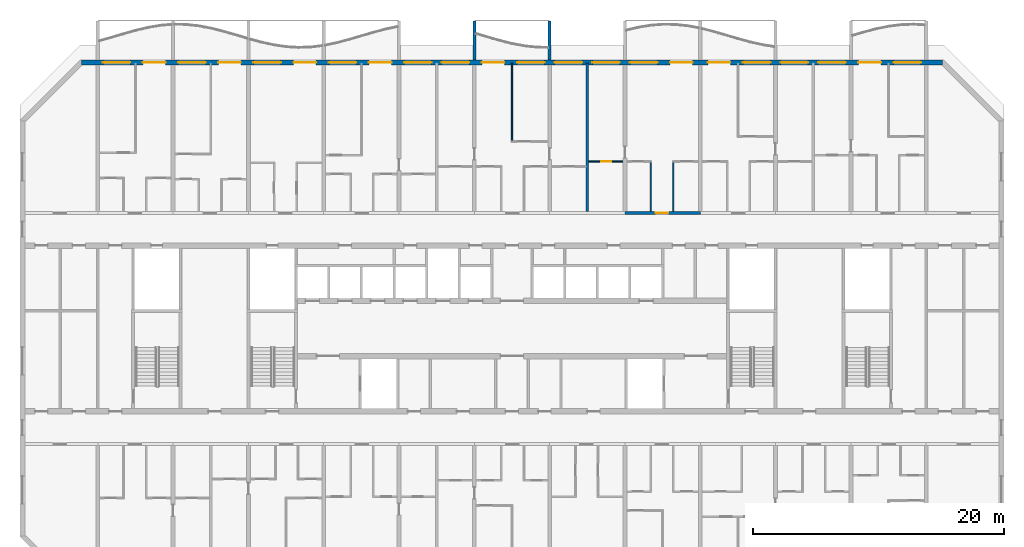
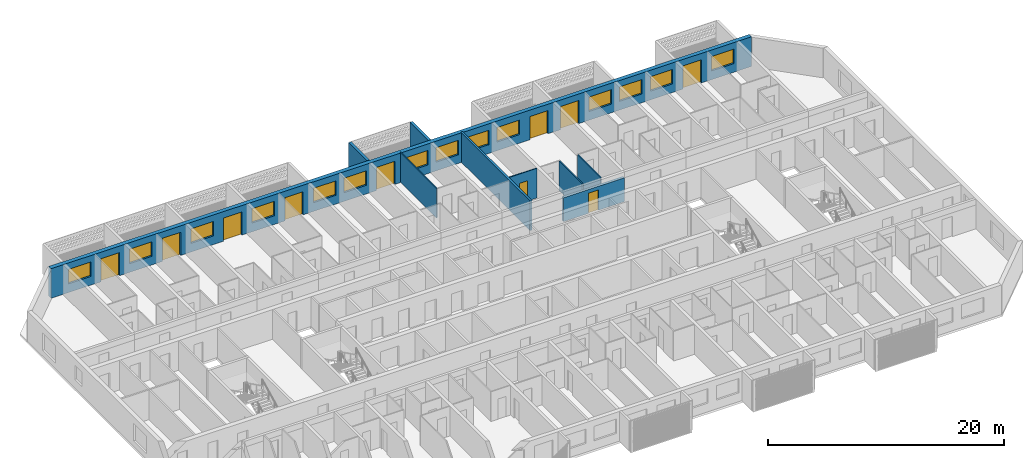
# One storey, part 10 of 32: 14 windows, 10 doors, 9 walls, 24 openings.
"""IFC4 building model written with IfcOpenShell, lengths in metres."""

from ifc_helpers import new_model, si_unit, direction, frame, frame_2d, origin, place, context, subcontext, project, spatial, polyline, rectangle, outline, extrude, source, transform, mapped, material, layer, layer_set, type_object, element, fill, save


model = new_model("IFC4")

# Units and contexts
model_context = context("Model", 3, precision=1e-05, world=origin(), true_north=direction((0.0, 1.0)))
body_context = subcontext(model_context, "Body", "Model", "MODEL_VIEW")
ifc_project = project(units=[si_unit("LENGTHUNIT", "METRE"), si_unit("AREAUNIT", "SQUARE_METRE"), si_unit("VOLUMEUNIT", "CUBIC_METRE"), si_unit("PLANEANGLEUNIT", "RADIAN"), si_unit("MASSUNIT", "GRAM", prefix="KILO")], contexts=[model_context])

# Site, building, storey
site_placement = place(None, origin())
site = spatial("IfcSite", under=ifc_project, at=site_placement, CompositionType="ELEMENT")
building_placement = place(site_placement, origin())
building = spatial("IfcBuilding", under=site, at=building_placement, Name="Poui Terraces", CompositionType="ELEMENT")
storey_placement = place(building_placement, frame((0.0, 0.0, 122.39990234375)))
storey = spatial("IfcBuildingStorey", under=building, at=storey_placement, Name="L33", CompositionType="ELEMENT", Elevation=122.39990234375)

# Wall, opening, door
ifc_material_1 = material(Name="Concrete 65 MPa", Category="concrete")
ifc_layer_1 = layer(ifc_material_1, 0.25)
ifc_layer_set_1 = layer_set([ifc_layer_1], Name="Concrete 65 MPa")
wall_type_1 = type_object("IfcWallType", Name="CORRIDOR WALL 250 65MPa", PredefinedType="SHEAR", material=ifc_layer_set_1)
wall_1_placement = place(storey_placement, frame((60.0, 30.39990234375, 0.0), z_axis=(0.0, 0.0, 1.0), x_axis=(1.0, 0.0, 0.0)))
wall_1 = element("IfcWall", 1, at=wall_1_placement, inside=storey, type_object=wall_type_1, Name="CORRIDOR WALL LINE E BAY 9", PredefinedType="SHEAR", context=body_context, shape_type="SweptSolid", body=[
    extrude(rectangle(XDim=6.0, YDim=0.25, at=frame_2d((3.0, 0.0))), origin(), (0.0, 0.0, 1.0), 2.47021484375),
])
opening_1_placement = place(wall_1_placement, frame((2.449951171875, 0.0, 0.0)))
opening_1 = element("IfcOpeningElement", 2, at=opening_1_placement, cuts=wall_1, Name="Opening FD30S", PredefinedType="OPENING", context=body_context, shape_type="SweptSolid", body=[
    extrude(rectangle(XDim=1.0, YDim=2.10009765625, at=frame_2d((0.5, 1.050048828125))), frame((0.0, 0.135009765625, 0.0), z_axis=(0.0, -1.0, 0.0), x_axis=(1.0, 0.0, 0.0)), (0.0, 0.0, 1.0), 0.27001953125),
])
ifc_material_2 = material(Name="Steel fire door", Category="steel")
door_type_1 = type_object("IfcDoorType", Name="FLAT ENTRANCE DOOR 1000 X 2100", OperationType="NOTDEFINED", PredefinedType="DOOR", material=ifc_material_2)
door_1_placement = place(opening_1_placement, origin())
door_1 = element("IfcDoor", 3, at=door_1_placement, inside=storey, type_object=door_type_1, Name="FLAT ENTRANCE DOOR 063", OperationType="SINGLE_SWING_LEFT", OverallHeight=2.10009765625, OverallWidth=1.0, PredefinedType="DOOR", context=body_context, shape_type="SweptSolid", body=[
    extrude(rectangle(XDim=1.0, YDim=2.10009765625, at=frame_2d((0.5, 1.050048828125))), frame((0.0, 0.02490234375, 0.0), z_axis=(0.0, -1.0, 0.0), x_axis=(1.0, 0.0, 0.0)), (0.0, 0.0, 1.0), 0.050048828125),
])
fill(opening_1, door_1)

# Wall, openings, doors, windows
ifc_material_3 = material(Name="Precast concrete 40 MPa", Category="concrete")
ifc_layer_2 = layer(ifc_material_3, 0.39990234375)
ifc_layer_set_2 = layer_set([ifc_layer_2], Name="Precast concrete 40 MPa")
wall_type_2 = type_object("IfcWallType", Name="EXTERNAL WALL 400", PredefinedType="STANDARD", material=ifc_layer_set_2)
wall_2_placement = place(storey_placement, frame((85.317138671875, 42.39990234375, 0.0), z_axis=(0.0, 0.0, 1.0), x_axis=(-1.0, 0.0, 0.0)))
wall_2 = element("IfcWall", 4, at=wall_2_placement, inside=storey, type_object=wall_type_2, Name="EXTERNAL WALL N", PredefinedType="STANDARD", context=body_context, shape_type="SweptSolid", body=[
    extrude(rectangle(XDim=68.63427734375, YDim=0.39990234375, at=frame_2d((34.317138671875, 0.0))), origin(), (0.0, 0.0, 1.0), 3.070068359375),
])
opening_2_placement = place(wall_2_placement, frame((64.71728515625, 0.0, 0.89990234375)))
opening_2 = element("IfcOpeningElement", 5, at=opening_2_placement, cuts=wall_2, Name="Opening W1", PredefinedType="OPENING", context=body_context, shape_type="SweptSolid", body=[
    extrude(rectangle(XDim=2.199951171875, YDim=1.5, at=frame_2d((1.10009765625, 0.75))), frame((0.0, 0.2099609375, 0.0), z_axis=(0.0, -1.0, 0.0), x_axis=(1.0, 0.0, 0.0)), (0.0, 0.0, 1.0), 0.419921875),
])
opening_3_placement = place(wall_2_placement, frame((61.917236328125, 0.0, 0.0)))
opening_3 = element("IfcOpeningElement", 6, at=opening_3_placement, cuts=wall_2, Name="Opening BD1", PredefinedType="OPENING", context=body_context, shape_type="SweptSolid", body=[
    extrude(rectangle(XDim=1.800048828125, YDim=2.39990234375, at=frame_2d((0.89990234375, 1.199951171875))), frame((0.0, 0.2099609375, 0.0), z_axis=(0.0, -1.0, 0.0), x_axis=(1.0, 0.0, 0.0)), (0.0, 0.0, 1.0), 0.419921875),
])
opening_4_placement = place(wall_2_placement, frame((58.71728515625, 0.0, 0.89990234375)))
opening_4 = element("IfcOpeningElement", 7, at=opening_4_placement, cuts=wall_2, Name="Opening W1", PredefinedType="OPENING", context=body_context, shape_type="SweptSolid", body=[
    extrude(rectangle(XDim=2.199951171875, YDim=1.5, at=frame_2d((1.10009765625, 0.75))), frame((0.0, 0.2099609375, 0.0), z_axis=(0.0, -1.0, 0.0), x_axis=(1.0, 0.0, 0.0)), (0.0, 0.0, 1.0), 0.419921875),
])
opening_5_placement = place(wall_2_placement, frame((55.917236328125, 0.0, 0.0)))
opening_5 = element("IfcOpeningElement", 8, at=opening_5_placement, cuts=wall_2, Name="Opening BD1", PredefinedType="OPENING", context=body_context, shape_type="SweptSolid", body=[
    extrude(rectangle(XDim=1.800048828125, YDim=2.39990234375, at=frame_2d((0.89990234375, 1.199951171875))), frame((0.0, 0.2099609375, 0.0), z_axis=(0.0, -1.0, 0.0), x_axis=(1.0, 0.0, 0.0)), (0.0, 0.0, 1.0), 0.419921875),
])
opening_6_placement = place(wall_2_placement, frame((52.71728515625, 0.0, 0.89990234375)))
opening_6 = element("IfcOpeningElement", 9, at=opening_6_placement, cuts=wall_2, Name="Opening W1", PredefinedType="OPENING", context=body_context, shape_type="SweptSolid", body=[
    extrude(rectangle(XDim=2.199951171875, YDim=1.5, at=frame_2d((1.10009765625, 0.75))), frame((0.0, 0.2099609375, 0.0), z_axis=(0.0, -1.0, 0.0), x_axis=(1.0, 0.0, 0.0)), (0.0, 0.0, 1.0), 0.419921875),
])
opening_7_placement = place(wall_2_placement, frame((49.917236328125, 0.0, 0.0)))
opening_7 = element("IfcOpeningElement", 10, at=opening_7_placement, cuts=wall_2, Name="Opening BD1", PredefinedType="OPENING", context=body_context, shape_type="SweptSolid", body=[
    extrude(rectangle(XDim=1.800048828125, YDim=2.39990234375, at=frame_2d((0.89990234375, 1.199951171875))), frame((0.0, 0.2099609375, 0.0), z_axis=(0.0, -1.0, 0.0), x_axis=(1.0, 0.0, 0.0)), (0.0, 0.0, 1.0), 0.419921875),
])
opening_8_placement = place(wall_2_placement, frame((46.71728515625, 0.0, 0.89990234375)))
opening_8 = element("IfcOpeningElement", 11, at=opening_8_placement, cuts=wall_2, Name="Opening W1", PredefinedType="OPENING", context=body_context, shape_type="SweptSolid", body=[
    extrude(rectangle(XDim=2.199951171875, YDim=1.5, at=frame_2d((1.10009765625, 0.75))), frame((0.0, 0.2099609375, 0.0), z_axis=(0.0, -1.0, 0.0), x_axis=(1.0, 0.0, 0.0)), (0.0, 0.0, 1.0), 0.419921875),
])
opening_9_placement = place(wall_2_placement, frame((43.917236328125, 0.0, 0.0)))
opening_9 = element("IfcOpeningElement", 12, at=opening_9_placement, cuts=wall_2, Name="Opening BD1", PredefinedType="OPENING", context=body_context, shape_type="SweptSolid", body=[
    extrude(rectangle(XDim=1.800048828125, YDim=2.39990234375, at=frame_2d((0.89990234375, 1.199951171875))), frame((0.0, 0.2099609375, 0.0), z_axis=(0.0, -1.0, 0.0), x_axis=(1.0, 0.0, 0.0)), (0.0, 0.0, 1.0), 0.419921875),
])
opening_10_placement = place(wall_2_placement, frame((40.71728515625, 0.0, 0.89990234375)))
opening_10 = element("IfcOpeningElement", 13, at=opening_10_placement, cuts=wall_2, Name="Opening W1", PredefinedType="OPENING", context=body_context, shape_type="SweptSolid", body=[
    extrude(rectangle(XDim=2.199951171875, YDim=1.5, at=frame_2d((1.10009765625, 0.75))), frame((0.0, 0.2099609375, 0.0), z_axis=(0.0, -1.0, 0.0), x_axis=(1.0, 0.0, 0.0)), (0.0, 0.0, 1.0), 0.419921875),
])
opening_11_placement = place(wall_2_placement, frame((37.71728515625, 0.0, 0.89990234375)))
opening_11 = element("IfcOpeningElement", 14, at=opening_11_placement, cuts=wall_2, Name="Opening W1", PredefinedType="OPENING", context=body_context, shape_type="SweptSolid", body=[
    extrude(rectangle(XDim=2.199951171875, YDim=1.5, at=frame_2d((1.10009765625, 0.75))), frame((0.0, 0.2099609375, 0.0), z_axis=(0.0, -1.0, 0.0), x_axis=(1.0, 0.0, 0.0)), (0.0, 0.0, 1.0), 0.419921875),
])
opening_12_placement = place(wall_2_placement, frame((34.917236328125, 0.0, 0.0)))
opening_12 = element("IfcOpeningElement", 15, at=opening_12_placement, cuts=wall_2, Name="Opening BD1", PredefinedType="OPENING", context=body_context, shape_type="SweptSolid", body=[
    extrude(rectangle(XDim=1.800048828125, YDim=2.39990234375, at=frame_2d((0.89990234375, 1.199951171875))), frame((0.0, 0.2099609375, 0.0), z_axis=(0.0, -1.0, 0.0), x_axis=(1.0, 0.0, 0.0)), (0.0, 0.0, 1.0), 0.419921875),
])
opening_13_placement = place(wall_2_placement, frame((31.71728515625, 0.0, 0.89990234375)))
opening_13 = element("IfcOpeningElement", 16, at=opening_13_placement, cuts=wall_2, Name="Opening W1", PredefinedType="OPENING", context=body_context, shape_type="SweptSolid", body=[
    extrude(rectangle(XDim=2.199951171875, YDim=1.5, at=frame_2d((1.10009765625, 0.75))), frame((0.0, 0.2099609375, 0.0), z_axis=(0.0, -1.0, 0.0), x_axis=(1.0, 0.0, 0.0)), (0.0, 0.0, 1.0), 0.419921875),
])
opening_14_placement = place(wall_2_placement, frame((28.71728515625, 0.0, 0.89990234375)))
opening_14 = element("IfcOpeningElement", 17, at=opening_14_placement, cuts=wall_2, Name="Opening W1", PredefinedType="OPENING", context=body_context, shape_type="SweptSolid", body=[
    extrude(rectangle(XDim=2.199951171875, YDim=1.5, at=frame_2d((1.10009765625, 0.75))), frame((0.0, 0.2099609375, 0.0), z_axis=(0.0, -1.0, 0.0), x_axis=(1.0, 0.0, 0.0)), (0.0, 0.0, 1.0), 0.419921875),
])
opening_15_placement = place(wall_2_placement, frame((25.71728515625, 0.0, 0.89990234375)))
opening_15 = element("IfcOpeningElement", 18, at=opening_15_placement, cuts=wall_2, Name="Opening W1", PredefinedType="OPENING", context=body_context, shape_type="SweptSolid", body=[
    extrude(rectangle(XDim=2.199951171875, YDim=1.5, at=frame_2d((1.10009765625, 0.75))), frame((0.0, 0.2099609375, 0.0), z_axis=(0.0, -1.0, 0.0), x_axis=(1.0, 0.0, 0.0)), (0.0, 0.0, 1.0), 0.419921875),
])
opening_16_placement = place(wall_2_placement, frame((22.71728515625, 0.0, 0.89990234375)))
opening_16 = element("IfcOpeningElement", 19, at=opening_16_placement, cuts=wall_2, Name="Opening W1", PredefinedType="OPENING", context=body_context, shape_type="SweptSolid", body=[
    extrude(rectangle(XDim=2.199951171875, YDim=1.5, at=frame_2d((1.10009765625, 0.75))), frame((0.0, 0.2099609375, 0.0), z_axis=(0.0, -1.0, 0.0), x_axis=(1.0, 0.0, 0.0)), (0.0, 0.0, 1.0), 0.419921875),
])
opening_17_placement = place(wall_2_placement, frame((19.917236328125, 0.0, 0.0)))
opening_17 = element("IfcOpeningElement", 20, at=opening_17_placement, cuts=wall_2, Name="Opening BD1", PredefinedType="OPENING", context=body_context, shape_type="SweptSolid", body=[
    extrude(rectangle(XDim=1.800048828125, YDim=2.39990234375, at=frame_2d((0.89990234375, 1.199951171875))), frame((0.0, 0.2099609375, 0.0), z_axis=(0.0, -1.0, 0.0), x_axis=(1.0, 0.0, 0.0)), (0.0, 0.0, 1.0), 0.419921875),
])
opening_18_placement = place(wall_2_placement, frame((16.917236328125, 0.0, 0.0)))
opening_18 = element("IfcOpeningElement", 21, at=opening_18_placement, cuts=wall_2, Name="Opening BD1", PredefinedType="OPENING", context=body_context, shape_type="SweptSolid", body=[
    extrude(rectangle(XDim=1.800048828125, YDim=2.39990234375, at=frame_2d((0.89990234375, 1.199951171875))), frame((0.0, 0.2099609375, 0.0), z_axis=(0.0, -1.0, 0.0), x_axis=(1.0, 0.0, 0.0)), (0.0, 0.0, 1.0), 0.419921875),
])
opening_19_placement = place(wall_2_placement, frame((13.71728515625, 0.0, 0.89990234375)))
opening_19 = element("IfcOpeningElement", 22, at=opening_19_placement, cuts=wall_2, Name="Opening W1", PredefinedType="OPENING", context=body_context, shape_type="SweptSolid", body=[
    extrude(rectangle(XDim=2.199951171875, YDim=1.5, at=frame_2d((1.10009765625, 0.75))), frame((0.0, 0.2099609375, 0.0), z_axis=(0.0, -1.0, 0.0), x_axis=(1.0, 0.0, 0.0)), (0.0, 0.0, 1.0), 0.419921875),
])
opening_20_placement = place(wall_2_placement, frame((10.71728515625, 0.0, 0.89990234375)))
opening_20 = element("IfcOpeningElement", 23, at=opening_20_placement, cuts=wall_2, Name="Opening W1", PredefinedType="OPENING", context=body_context, shape_type="SweptSolid", body=[
    extrude(rectangle(XDim=2.199951171875, YDim=1.5, at=frame_2d((1.10009765625, 0.75))), frame((0.0, 0.2099609375, 0.0), z_axis=(0.0, -1.0, 0.0), x_axis=(1.0, 0.0, 0.0)), (0.0, 0.0, 1.0), 0.419921875),
])
opening_21_placement = place(wall_2_placement, frame((7.71728515625, 0.0, 0.89990234375)))
opening_21 = element("IfcOpeningElement", 24, at=opening_21_placement, cuts=wall_2, Name="Opening W1", PredefinedType="OPENING", context=body_context, shape_type="SweptSolid", body=[
    extrude(rectangle(XDim=2.199951171875, YDim=1.5, at=frame_2d((1.10009765625, 0.75))), frame((0.0, 0.2099609375, 0.0), z_axis=(0.0, -1.0, 0.0), x_axis=(1.0, 0.0, 0.0)), (0.0, 0.0, 1.0), 0.419921875),
])
opening_22_placement = place(wall_2_placement, frame((4.917236328125, 0.0, 0.0)))
opening_22 = element("IfcOpeningElement", 25, at=opening_22_placement, cuts=wall_2, Name="Opening BD1", PredefinedType="OPENING", context=body_context, shape_type="SweptSolid", body=[
    extrude(rectangle(XDim=1.800048828125, YDim=2.39990234375, at=frame_2d((0.89990234375, 1.199951171875))), frame((0.0, 0.2099609375, 0.0), z_axis=(0.0, -1.0, 0.0), x_axis=(1.0, 0.0, 0.0)), (0.0, 0.0, 1.0), 0.419921875),
])
opening_23_placement = place(wall_2_placement, frame((1.71728515625, 0.0, 0.89990234375)))
opening_23 = element("IfcOpeningElement", 26, at=opening_23_placement, cuts=wall_2, Name="Opening W1", PredefinedType="OPENING", context=body_context, shape_type="SweptSolid", body=[
    extrude(rectangle(XDim=2.199951171875, YDim=1.5, at=frame_2d((1.10009765625, 0.75))), frame((0.0, 0.2099609375, 0.0), z_axis=(0.0, -1.0, 0.0), x_axis=(1.0, 0.0, 0.0)), (0.0, 0.0, 1.0), 0.419921875),
])
ifc_material_4 = material(Name="Clear glass in aluminium frame", Category="aluminium")
door_type_2 = type_object("IfcDoorType", Name="BALCONY DOOR 1800X2400", OperationType="DOUBLE_DOOR_SLIDING", PredefinedType="DOOR", material=ifc_material_4)
door_2_placement = place(opening_3_placement, origin())
door_2 = element("IfcDoor", 27, at=door_2_placement, inside=storey, type_object=door_type_2, Name="BD1 BALCONY DOOR", OperationType="DOUBLE_DOOR_SLIDING", OverallHeight=2.39990234375, OverallWidth=1.800048828125, PredefinedType="DOOR", context=body_context, shape_type="SweptSolid", body=[
    extrude(rectangle(XDim=1.800048828125, YDim=2.39990234375, at=frame_2d((0.89990234375, 1.199951171875))), frame((0.0, 0.02490234375, 0.0), z_axis=(0.0, -1.0, 0.0), x_axis=(1.0, 0.0, 0.0)), (0.0, 0.0, 1.0), 0.050048828125),
])
fill(opening_3, door_2)
door_3_placement = place(opening_5_placement, origin())
door_3 = element("IfcDoor", 28, at=door_3_placement, inside=storey, type_object=door_type_2, Name="BD1 BALCONY DOOR", OperationType="DOUBLE_DOOR_SLIDING", OverallHeight=2.39990234375, OverallWidth=1.800048828125, PredefinedType="DOOR", context=body_context, shape_type="SweptSolid", body=[
    extrude(rectangle(XDim=1.800048828125, YDim=2.39990234375, at=frame_2d((0.89990234375, 1.199951171875))), frame((0.0, 0.02490234375, 0.0), z_axis=(0.0, -1.0, 0.0), x_axis=(1.0, 0.0, 0.0)), (0.0, 0.0, 1.0), 0.050048828125),
])
fill(opening_5, door_3)
door_4_placement = place(opening_7_placement, origin())
door_4 = element("IfcDoor", 29, at=door_4_placement, inside=storey, type_object=door_type_2, Name="BD1 BALCONY DOOR", OperationType="DOUBLE_DOOR_SLIDING", OverallHeight=2.39990234375, OverallWidth=1.800048828125, PredefinedType="DOOR", context=body_context, shape_type="SweptSolid", body=[
    extrude(rectangle(XDim=1.800048828125, YDim=2.39990234375, at=frame_2d((0.89990234375, 1.199951171875))), frame((0.0, 0.02490234375, 0.0), z_axis=(0.0, -1.0, 0.0), x_axis=(1.0, 0.0, 0.0)), (0.0, 0.0, 1.0), 0.050048828125),
])
fill(opening_7, door_4)
door_5_placement = place(opening_9_placement, origin())
door_5 = element("IfcDoor", 30, at=door_5_placement, inside=storey, type_object=door_type_2, Name="BD1 BALCONY DOOR", OperationType="DOUBLE_DOOR_SLIDING", OverallHeight=2.39990234375, OverallWidth=1.800048828125, PredefinedType="DOOR", context=body_context, shape_type="SweptSolid", body=[
    extrude(rectangle(XDim=1.800048828125, YDim=2.39990234375, at=frame_2d((0.89990234375, 1.199951171875))), frame((0.0, 0.02490234375, 0.0), z_axis=(0.0, -1.0, 0.0), x_axis=(1.0, 0.0, 0.0)), (0.0, 0.0, 1.0), 0.050048828125),
])
fill(opening_9, door_5)
door_6_placement = place(opening_12_placement, origin())
door_6 = element("IfcDoor", 31, at=door_6_placement, inside=storey, type_object=door_type_2, Name="BD1 BALCONY DOOR", OperationType="DOUBLE_DOOR_SLIDING", OverallHeight=2.39990234375, OverallWidth=1.800048828125, PredefinedType="DOOR", context=body_context, shape_type="SweptSolid", body=[
    extrude(rectangle(XDim=1.800048828125, YDim=2.39990234375, at=frame_2d((0.89990234375, 1.199951171875))), frame((0.0, 0.02490234375, 0.0), z_axis=(0.0, -1.0, 0.0), x_axis=(1.0, 0.0, 0.0)), (0.0, 0.0, 1.0), 0.050048828125),
])
fill(opening_12, door_6)
door_7_placement = place(opening_17_placement, origin())
door_7 = element("IfcDoor", 32, at=door_7_placement, inside=storey, type_object=door_type_2, Name="BD1 BALCONY DOOR", OperationType="DOUBLE_DOOR_SLIDING", OverallHeight=2.39990234375, OverallWidth=1.800048828125, PredefinedType="DOOR", context=body_context, shape_type="SweptSolid", body=[
    extrude(rectangle(XDim=1.800048828125, YDim=2.39990234375, at=frame_2d((0.89990234375, 1.199951171875))), frame((0.0, 0.02490234375, 0.0), z_axis=(0.0, -1.0, 0.0), x_axis=(1.0, 0.0, 0.0)), (0.0, 0.0, 1.0), 0.050048828125),
])
fill(opening_17, door_7)
door_8_placement = place(opening_18_placement, origin())
door_8 = element("IfcDoor", 33, at=door_8_placement, inside=storey, type_object=door_type_2, Name="BD1 BALCONY DOOR", OperationType="DOUBLE_DOOR_SLIDING", OverallHeight=2.39990234375, OverallWidth=1.800048828125, PredefinedType="DOOR", context=body_context, shape_type="SweptSolid", body=[
    extrude(rectangle(XDim=1.800048828125, YDim=2.39990234375, at=frame_2d((0.89990234375, 1.199951171875))), frame((0.0, 0.02490234375, 0.0), z_axis=(0.0, -1.0, 0.0), x_axis=(1.0, 0.0, 0.0)), (0.0, 0.0, 1.0), 0.050048828125),
])
fill(opening_18, door_8)
door_9_placement = place(opening_22_placement, origin())
door_9 = element("IfcDoor", 34, at=door_9_placement, inside=storey, type_object=door_type_2, Name="BD1 BALCONY DOOR", OperationType="DOUBLE_DOOR_SLIDING", OverallHeight=2.39990234375, OverallWidth=1.800048828125, PredefinedType="DOOR", context=body_context, shape_type="SweptSolid", body=[
    extrude(rectangle(XDim=1.800048828125, YDim=2.39990234375, at=frame_2d((0.89990234375, 1.199951171875))), frame((0.0, 0.02490234375, 0.0), z_axis=(0.0, -1.0, 0.0), x_axis=(1.0, 0.0, 0.0)), (0.0, 0.0, 1.0), 0.050048828125),
])
fill(opening_22, door_9)
window_type = type_object("IfcWindowType", Name="WINDOW 2200X1500", PartitioningType="DOUBLE_PANEL_HORIZONTAL", PredefinedType="WINDOW", material=ifc_material_4)
window_1_placement = place(opening_2_placement, origin())
window_1 = element("IfcWindow", 35, at=window_1_placement, inside=storey, type_object=window_type, Name="W1 WINDOW", OverallHeight=1.5, OverallWidth=2.199951171875, PartitioningType="DOUBLE_PANEL_HORIZONTAL", PredefinedType="WINDOW", context=body_context, shape_type="SweptSolid", body=[
    extrude(rectangle(XDim=2.199951171875, YDim=1.5, at=frame_2d((1.10009765625, 0.75))), frame((0.0, 0.030029296875, 0.0), z_axis=(0.0, -1.0, 0.0), x_axis=(1.0, 0.0, 0.0)), (0.0, 0.0, 1.0), 0.06005859375),
])
fill(opening_2, window_1)
window_2_placement = place(opening_4_placement, origin())
window_2 = element("IfcWindow", 36, at=window_2_placement, inside=storey, type_object=window_type, Name="W1 WINDOW", OverallHeight=1.5, OverallWidth=2.199951171875, PartitioningType="DOUBLE_PANEL_HORIZONTAL", PredefinedType="WINDOW", context=body_context, shape_type="SweptSolid", body=[
    extrude(rectangle(XDim=2.199951171875, YDim=1.5, at=frame_2d((1.10009765625, 0.75))), frame((0.0, 0.030029296875, 0.0), z_axis=(0.0, -1.0, 0.0), x_axis=(1.0, 0.0, 0.0)), (0.0, 0.0, 1.0), 0.06005859375),
])
fill(opening_4, window_2)
window_3_placement = place(opening_6_placement, origin())
window_3 = element("IfcWindow", 37, at=window_3_placement, inside=storey, type_object=window_type, Name="W1 WINDOW", OverallHeight=1.5, OverallWidth=2.199951171875, PartitioningType="DOUBLE_PANEL_HORIZONTAL", PredefinedType="WINDOW", context=body_context, shape_type="SweptSolid", body=[
    extrude(rectangle(XDim=2.199951171875, YDim=1.5, at=frame_2d((1.10009765625, 0.75))), frame((0.0, 0.030029296875, 0.0), z_axis=(0.0, -1.0, 0.0), x_axis=(1.0, 0.0, 0.0)), (0.0, 0.0, 1.0), 0.06005859375),
])
fill(opening_6, window_3)
window_4_placement = place(opening_8_placement, origin())
window_4 = element("IfcWindow", 38, at=window_4_placement, inside=storey, type_object=window_type, Name="W1 WINDOW", OverallHeight=1.5, OverallWidth=2.199951171875, PartitioningType="DOUBLE_PANEL_HORIZONTAL", PredefinedType="WINDOW", context=body_context, shape_type="SweptSolid", body=[
    extrude(rectangle(XDim=2.199951171875, YDim=1.5, at=frame_2d((1.10009765625, 0.75))), frame((0.0, 0.030029296875, 0.0), z_axis=(0.0, -1.0, 0.0), x_axis=(1.0, 0.0, 0.0)), (0.0, 0.0, 1.0), 0.06005859375),
])
fill(opening_8, window_4)
window_5_placement = place(opening_10_placement, origin())
window_5 = element("IfcWindow", 39, at=window_5_placement, inside=storey, type_object=window_type, Name="W1 WINDOW", OverallHeight=1.5, OverallWidth=2.199951171875, PartitioningType="DOUBLE_PANEL_HORIZONTAL", PredefinedType="WINDOW", context=body_context, shape_type="SweptSolid", body=[
    extrude(rectangle(XDim=2.199951171875, YDim=1.5, at=frame_2d((1.10009765625, 0.75))), frame((0.0, 0.030029296875, 0.0), z_axis=(0.0, -1.0, 0.0), x_axis=(1.0, 0.0, 0.0)), (0.0, 0.0, 1.0), 0.06005859375),
])
fill(opening_10, window_5)
window_6_placement = place(opening_11_placement, origin())
window_6 = element("IfcWindow", 40, at=window_6_placement, inside=storey, type_object=window_type, Name="W1 WINDOW", OverallHeight=1.5, OverallWidth=2.199951171875, PartitioningType="DOUBLE_PANEL_HORIZONTAL", PredefinedType="WINDOW", context=body_context, shape_type="SweptSolid", body=[
    extrude(rectangle(XDim=2.199951171875, YDim=1.5, at=frame_2d((1.10009765625, 0.75))), frame((0.0, 0.030029296875, 0.0), z_axis=(0.0, -1.0, 0.0), x_axis=(1.0, 0.0, 0.0)), (0.0, 0.0, 1.0), 0.06005859375),
])
fill(opening_11, window_6)
window_7_placement = place(opening_13_placement, origin())
window_7 = element("IfcWindow", 41, at=window_7_placement, inside=storey, type_object=window_type, Name="W1 WINDOW", OverallHeight=1.5, OverallWidth=2.199951171875, PartitioningType="DOUBLE_PANEL_HORIZONTAL", PredefinedType="WINDOW", context=body_context, shape_type="SweptSolid", body=[
    extrude(rectangle(XDim=2.199951171875, YDim=1.5, at=frame_2d((1.10009765625, 0.75))), frame((0.0, 0.030029296875, 0.0), z_axis=(0.0, -1.0, 0.0), x_axis=(1.0, 0.0, 0.0)), (0.0, 0.0, 1.0), 0.06005859375),
])
fill(opening_13, window_7)
window_8_placement = place(opening_14_placement, origin())
window_8 = element("IfcWindow", 42, at=window_8_placement, inside=storey, type_object=window_type, Name="W1 WINDOW", OverallHeight=1.5, OverallWidth=2.199951171875, PartitioningType="DOUBLE_PANEL_HORIZONTAL", PredefinedType="WINDOW", context=body_context, shape_type="SweptSolid", body=[
    extrude(rectangle(XDim=2.199951171875, YDim=1.5, at=frame_2d((1.10009765625, 0.75))), frame((0.0, 0.030029296875, 0.0), z_axis=(0.0, -1.0, 0.0), x_axis=(1.0, 0.0, 0.0)), (0.0, 0.0, 1.0), 0.06005859375),
])
fill(opening_14, window_8)
window_9_placement = place(opening_15_placement, origin())
window_9 = element("IfcWindow", 43, at=window_9_placement, inside=storey, type_object=window_type, Name="W1 WINDOW", OverallHeight=1.5, OverallWidth=2.199951171875, PartitioningType="DOUBLE_PANEL_HORIZONTAL", PredefinedType="WINDOW", context=body_context, shape_type="SweptSolid", body=[
    extrude(rectangle(XDim=2.199951171875, YDim=1.5, at=frame_2d((1.10009765625, 0.75))), frame((0.0, 0.030029296875, 0.0), z_axis=(0.0, -1.0, 0.0), x_axis=(1.0, 0.0, 0.0)), (0.0, 0.0, 1.0), 0.06005859375),
])
fill(opening_15, window_9)
window_10_placement = place(opening_16_placement, origin())
window_10 = element("IfcWindow", 44, at=window_10_placement, inside=storey, type_object=window_type, Name="W1 WINDOW", OverallHeight=1.5, OverallWidth=2.199951171875, PartitioningType="DOUBLE_PANEL_HORIZONTAL", PredefinedType="WINDOW", context=body_context, shape_type="SweptSolid", body=[
    extrude(rectangle(XDim=2.199951171875, YDim=1.5, at=frame_2d((1.10009765625, 0.75))), frame((0.0, 0.030029296875, 0.0), z_axis=(0.0, -1.0, 0.0), x_axis=(1.0, 0.0, 0.0)), (0.0, 0.0, 1.0), 0.06005859375),
])
fill(opening_16, window_10)
window_11_placement = place(opening_19_placement, origin())
window_11 = element("IfcWindow", 45, at=window_11_placement, inside=storey, type_object=window_type, Name="W1 WINDOW", OverallHeight=1.5, OverallWidth=2.199951171875, PartitioningType="DOUBLE_PANEL_HORIZONTAL", PredefinedType="WINDOW", context=body_context, shape_type="SweptSolid", body=[
    extrude(rectangle(XDim=2.199951171875, YDim=1.5, at=frame_2d((1.10009765625, 0.75))), frame((0.0, 0.030029296875, 0.0), z_axis=(0.0, -1.0, 0.0), x_axis=(1.0, 0.0, 0.0)), (0.0, 0.0, 1.0), 0.06005859375),
])
fill(opening_19, window_11)
window_12_placement = place(opening_20_placement, origin())
window_12 = element("IfcWindow", 46, at=window_12_placement, inside=storey, type_object=window_type, Name="W1 WINDOW", OverallHeight=1.5, OverallWidth=2.199951171875, PartitioningType="DOUBLE_PANEL_HORIZONTAL", PredefinedType="WINDOW", context=body_context, shape_type="SweptSolid", body=[
    extrude(rectangle(XDim=2.199951171875, YDim=1.5, at=frame_2d((1.10009765625, 0.75))), frame((0.0, 0.030029296875, 0.0), z_axis=(0.0, -1.0, 0.0), x_axis=(1.0, 0.0, 0.0)), (0.0, 0.0, 1.0), 0.06005859375),
])
fill(opening_20, window_12)
window_13_placement = place(opening_21_placement, origin())
window_13 = element("IfcWindow", 47, at=window_13_placement, inside=storey, type_object=window_type, Name="W1 WINDOW", OverallHeight=1.5, OverallWidth=2.199951171875, PartitioningType="DOUBLE_PANEL_HORIZONTAL", PredefinedType="WINDOW", context=body_context, shape_type="SweptSolid", body=[
    extrude(rectangle(XDim=2.199951171875, YDim=1.5, at=frame_2d((1.10009765625, 0.75))), frame((0.0, 0.030029296875, 0.0), z_axis=(0.0, -1.0, 0.0), x_axis=(1.0, 0.0, 0.0)), (0.0, 0.0, 1.0), 0.06005859375),
])
fill(opening_21, window_13)
window_14_placement = place(opening_23_placement, origin())
window_14 = element("IfcWindow", 48, at=window_14_placement, inside=storey, type_object=window_type, Name="W1 WINDOW", OverallHeight=1.5, OverallWidth=2.199951171875, PartitioningType="DOUBLE_PANEL_HORIZONTAL", PredefinedType="WINDOW", context=body_context, shape_type="SweptSolid", body=[
    extrude(rectangle(XDim=2.199951171875, YDim=1.5, at=frame_2d((1.10009765625, 0.75))), frame((0.0, 0.030029296875, 0.0), z_axis=(0.0, -1.0, 0.0), x_axis=(1.0, 0.0, 0.0)), (0.0, 0.0, 1.0), 0.06005859375),
])
fill(opening_23, window_14)

# Wall, opening, door
ifc_material_5 = material(Name="Plasterboard partition")
ifc_layer_3 = layer(ifc_material_5, 0.10009765625)
ifc_layer_set_3 = layer_set([ifc_layer_3], Name="Plasterboard partition")
wall_type_3 = type_object("IfcWallType", Name="FLAT PARTITION 100", PredefinedType="PARTITIONING", material=ifc_layer_set_3)
wall_3_placement = place(storey_placement, frame((57.10009765625, 34.5, 0.0), z_axis=(0.0, 0.0, 1.0), x_axis=(1.0, 0.0, 0.0)))
wall_3 = element("IfcWall", 49, at=wall_3_placement, inside=storey, type_object=wall_type_3, Name="FLAT PARTITION 100", PredefinedType="PARTITIONING", context=body_context, shape_type="SweptSolid", body=[
    extrude(rectangle(XDim=2.739990234375, YDim=0.10009765625, at=frame_2d((1.3701171875, 0.0))), origin(), (0.0, 0.0, 1.0), 3.070068359375),
])
opening_24_placement = place(wall_3_placement, frame((1.0, 0.0, 0.0)))
opening_24 = element("IfcOpeningElement", 50, at=opening_24_placement, cuts=wall_3, Name="Opening D80", PredefinedType="OPENING", context=body_context, shape_type="SweptSolid", body=[
    extrude(rectangle(XDim=0.800048828125, YDim=2.10009765625, at=frame_2d((0.39990234375, 1.050048828125))), frame((0.0, 0.06005859375, 0.0), z_axis=(0.0, -1.0, 0.0), x_axis=(1.0, 0.0, 0.0)), (0.0, 0.0, 1.0), 0.1201171875),
])
ifc_material_6 = material(Name="Solid core timber door", Category="wood")
door_type_3 = type_object("IfcDoorType", Name="BATHROOM, LAUNDRY AND STORE DOOR 800 X 2100", OperationType="NOTDEFINED", PredefinedType="DOOR", material=ifc_material_6)
door_10_placement = place(opening_24_placement, frame((0.800048828125, 0.0, 0.0), z_axis=(0.0, 0.0, 1.0), x_axis=(-1.0, 0.0, 0.0)))
door_10 = element("IfcDoor", 51, at=door_10_placement, inside=storey, type_object=door_type_3, Name="BATHROOM, LAUNDRY AND STORE DOOR 060", OperationType="SINGLE_SWING_RIGHT", OverallHeight=2.10009765625, OverallWidth=0.800048828125, PredefinedType="DOOR", context=body_context, shape_type="SweptSolid", body=[
    extrude(rectangle(XDim=0.800048828125, YDim=2.10009765625, at=frame_2d((0.39990234375, 1.050048828125))), frame((0.0, 0.02490234375, 0.0), z_axis=(0.0, -1.0, 0.0), x_axis=(1.0, 0.0, 0.0)), (0.0, 0.0, 1.0), 0.050048828125),
])
fill(opening_24, door_10)

# Walls
wall_4_placement = place(storey_placement, frame((51.0, 36.14990234375, 0.0), z_axis=(0.0, 0.0, 1.0), x_axis=(0.0, 1.0, 0.0)))
element("IfcWall", 52, at=wall_4_placement, inside=storey, type_object=wall_type_3, Name="FLAT PARTITION 100", PredefinedType="PARTITIONING", context=body_context, shape_type="SweptSolid", body=[
    extrude(rectangle(XDim=6.190185546875, YDim=0.10009765625, at=frame_2d((3.09521484375, 0.0))), origin(), (0.0, 0.0, 1.0), 3.070068359375),
])
for number, where, z_axis, x_axis, name in (
    (53, (62.050048828125, 30.534912109375, 0.0), (0.0, 0.0, 1.0), (0.0, 1.0, 0.0), "FLAT PARTITION 100"),
    (54, (63.85009765625, 30.534912109375, 0.0), (0.0, 0.0, 1.0), (0.0, 1.0, 0.0), "FLAT PARTITION 100"),
):
    element("IfcWall", number, at=place(storey_placement, frame(where, z_axis=z_axis, x_axis=x_axis)), inside=storey, type_object=wall_type_3, Name=name, PredefinedType="PARTITIONING", context=body_context, shape_type="SweptSolid", body=[
        extrude(rectangle(XDim=3.9150390625, YDim=0.10009765625, at=frame_2d((1.95751953125, 0.0))), origin(), (0.0, 0.0, 1.0), 3.070068359375),
    ])
ifc_material_7 = material(Name="Fire-rated masonry wall", Category="masonry")
ifc_layer_4 = layer(ifc_material_7, 0.199951171875)
ifc_layer_set_4 = layer_set([ifc_layer_4], Name="Fire-rated masonry wall")
wall_type_4 = type_object("IfcWallType", Name="FLAT PARTY WALL 200", PredefinedType="PARTITIONING", material=ifc_layer_set_4)
wall_5_placement = place(storey_placement, frame((57.0, 30.534912109375, 0.0), z_axis=(0.0, 0.0, 1.0), x_axis=(0.0, 1.0, 0.0)))
element("IfcWall", 55, at=wall_5_placement, inside=storey, type_object=wall_type_4, Name="FLAT PARTY WALL 200", PredefinedType="PARTITIONING", context=body_context, shape_type="SweptSolid", body=[
    extrude(rectangle(XDim=11.80517578125, YDim=0.199951171875, at=frame_2d((5.902587890625, 0.0))), origin(), (0.0, 0.0, 1.0), 3.070068359375),
])
ifc_layer_5 = layer(ifc_material_3, 0.25)
ifc_layer_set_5 = layer_set([ifc_layer_5], Name="Precast concrete 40 MPa")
wall_type_5 = type_object("IfcWallType", Name="BALCONY FIN 250", PredefinedType="STANDARD", material=ifc_layer_set_5)
shared_shape = source(origin(), body_context, "Body", "SweptSolid", [
    extrude(outline(polyline([(0.0, 0.0), (0.25, 0.0), (0.25, 3.099853515625), (0.0, 3.099853515625), (0.0, 0.0)])), origin(), (0.0, 0.0, 1.0), 3.10009765625),
])
for number, where, name in (
    (56, (47.875, 42.60009765625, 0.0), "BALCONY FIN"),
    (57, (53.875, 42.60009765625, 0.0), "BALCONY FIN"),
):
    element("IfcWall", number, at=place(storey_placement, frame(where)), inside=storey, type_object=wall_type_5, Name=name, PredefinedType="STANDARD", context=body_context, shape_type="MappedRepresentation", body=[
        mapped(shared_shape, transform((0.0, 0.0, 0.0))),
    ])

save(model, "model.ifc")
